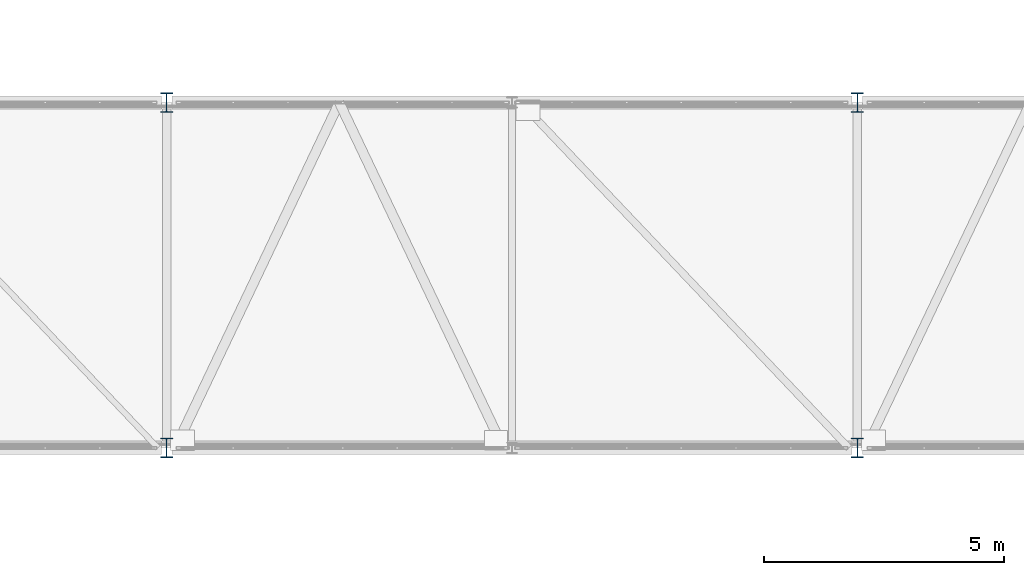
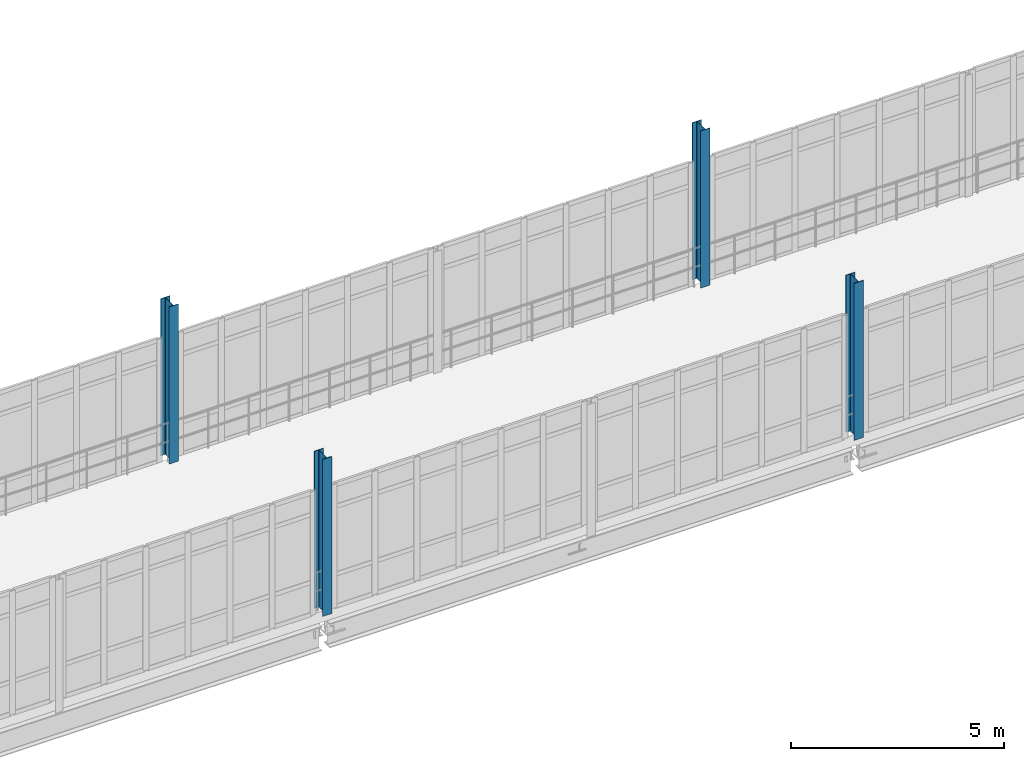
# One storey, part 2 of 116: 4 columns.
"""IFC4 building model written with IfcOpenShell, lengths in metres."""

from ifc_helpers import new_model, si_unit, direction, frame, origin, origin_2d, place, context, subcontext, project, spatial, i_section, extrude, material, material_profile, profile_set, type_object, element, save


model = new_model("IFC4")

# Units and contexts
model_context = context("Model", 3, precision=1e-05, world=origin(), true_north=direction((0.0, 1.0)))
body_context = subcontext(model_context, "Body", "Model", "MODEL_VIEW")
ifc_project = project(units=[si_unit("LENGTHUNIT", "METRE"), si_unit("AREAUNIT", "SQUARE_METRE"), si_unit("VOLUMEUNIT", "CUBIC_METRE"), si_unit("PLANEANGLEUNIT", "RADIAN"), si_unit("MASSUNIT", "GRAM", prefix="KILO")], contexts=[model_context])

# Site, building, storey
site_placement = place(None, origin())
site = spatial("IfcSite", under=ifc_project, at=site_placement, CompositionType="ELEMENT")
building_placement = place(site_placement, origin())
building = spatial("IfcBuilding", under=site, at=building_placement, Name="Kalluvel Institute of Natural Sciences", CompositionType="ELEMENT")
storey_placement = place(building_placement, frame((0.0, 0.0, 14.39990234375)))
storey = spatial("IfcBuildingStorey", under=building, at=storey_placement, Name="L03", CompositionType="ELEMENT", Elevation=14.39990234375)

# Columns
ifc_material = material(Name="Steel E350 Grade 350", Category="steel")
ifc_material_profile = material_profile(ifc_material, i_section(OverallWidth=0.25, OverallDepth=0.39990234375, WebThickness=0.010498046875, FlangeThickness=0.0126953125, FilletRadius=0.013916015625, at=origin_2d()), Name="ISHB 400")
ifc_profile_set = profile_set([ifc_material_profile], Name="Steel E350 Grade 350")
column_type = type_object("IfcColumnType", Name="COL-ISHB400", PredefinedType="COLUMN", material=ifc_profile_set)
for number, where, z_axis, x_axis, name in (
    (1, (50.0, 28.39990234375, 0.0), (0.0, 0.0, 1.0), (1.0, 0.0, 0.0), "L03 structural column COL-L03-X500-Y284"),
    (2, (50.0, 35.60009765625, 0.0), (0.0, 0.0, 1.0), (1.0, 0.0, 0.0), "L03 structural column COL-L03-X500-Y356"),
    (3, (64.39990234375, 28.39990234375, 0.0), (0.0, 0.0, 1.0), (1.0, 0.0, 0.0), "L03 structural column COL-L03-X644-Y284"),
    (4, (64.39990234375, 35.60009765625, 0.0), (0.0, 0.0, 1.0), (1.0, 0.0, 0.0), "L03 structural column COL-L03-X644-Y356"),
):
    element("IfcColumn", number, at=place(storey_placement, frame(where, z_axis=z_axis, x_axis=x_axis)), inside=storey, type_object=column_type, Name=name, PredefinedType="COLUMN", context=body_context, shape_type="SweptSolid", body=[
        extrude(i_section(OverallWidth=0.25, OverallDepth=0.39990234375, WebThickness=0.010498046875, FlangeThickness=0.0126953125, FilletRadius=0.013916015625, at=origin_2d()), origin(), (0.0, 0.0, 1.0), 4.5),
    ])

save(model, "model.ifc")
